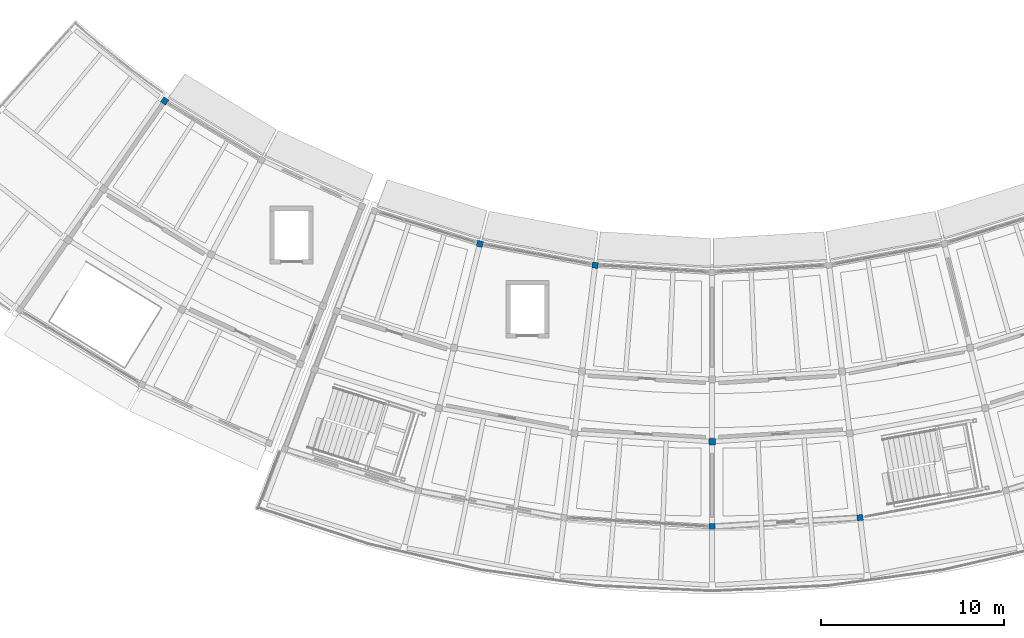
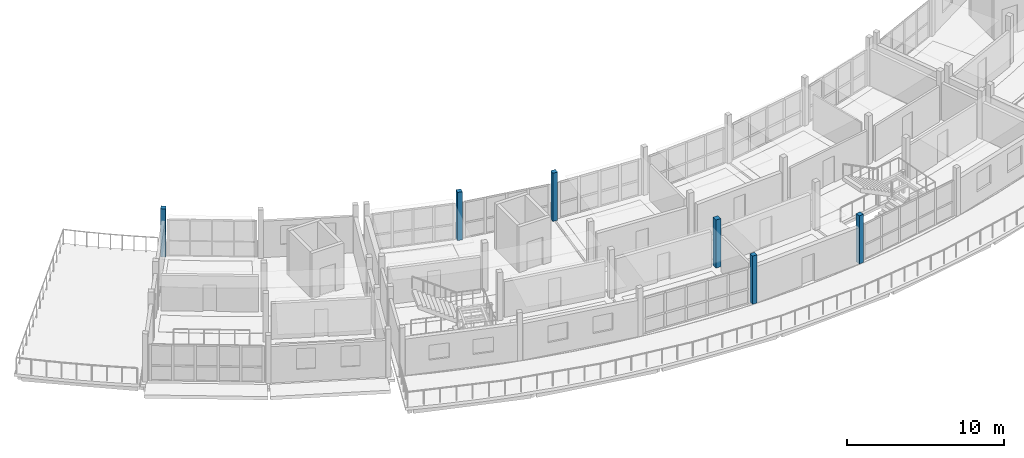
# One storey, part 3 of 24: 6 columns.
"""IFC4 building model written with IfcOpenShell, lengths in metres."""

from ifc_helpers import new_model, si_unit, direction, frame, origin, origin_2d, place, context, subcontext, project, spatial, rectangle, extrude, material, material_profile, profile_set, type_object, element, save


model = new_model("IFC4")

# Units and contexts
model_context = context("Model", 3, precision=1e-05, world=origin(), true_north=direction((0.0, 1.0)))
body_context = subcontext(model_context, "Body", "Model", "MODEL_VIEW")
ifc_project = project(units=[si_unit("LENGTHUNIT", "METRE"), si_unit("AREAUNIT", "SQUARE_METRE"), si_unit("VOLUMEUNIT", "CUBIC_METRE"), si_unit("PLANEANGLEUNIT", "RADIAN"), si_unit("MASSUNIT", "GRAM", prefix="KILO")], contexts=[model_context])

# Site, building, storey
site_placement = place(None, origin())
site = spatial("IfcSite", under=ifc_project, at=site_placement, CompositionType="ELEMENT")
building_placement = place(site_placement, origin())
building = spatial("IfcBuilding", under=site, at=building_placement, Name="Caldaven Crescent School", CompositionType="ELEMENT")
storey_placement = place(building_placement, frame((0.0, 0.0, 15.639892578125)))
storey = spatial("IfcBuildingStorey", under=building, at=storey_placement, Name="L04", CompositionType="ELEMENT", Elevation=15.639892578125)

# Columns
ifc_material = material(Name="Glulam MLE24h (GL28h)", Category="wood")
ifc_material_profile_1 = material_profile(ifc_material, rectangle(XDim=0.330078125, YDim=0.330078125, at=origin_2d()), Name="MLE 330x330")
ifc_profile_set_1 = profile_set([ifc_material_profile_1], Name="Glulam MLE24h (GL28h)")
column_type_1 = type_object("IfcColumnType", Name="COL-GL33", PredefinedType="COLUMN", material=ifc_profile_set_1)
for number, where, z_axis, x_axis, name in (
    (1, (58.09228515625, 52.91259765625, 0.0), (0.0, 0.0, 1.0), (-0.570283536751, -0.821447921484, 0.0), "COL-V4W-L04-00-0"),
    (2, (75.311279296875, 45.10791015625, 0.0), (0.0, 0.0, 1.0), (-0.2419218956, -0.970295726276, 0.0), "COL-V5-L04-01-0"),
    (3, (81.60791015625, 43.94091796875, 0.0), (0.0, 0.0, 1.0), (-0.121869343405, -0.992546151641, 0.0), "COL-V5-L04-02-0"),
    (4, (88.0, 29.64990234375, 0.0), (0.0, 0.0, 1.0), (0.0, -1.0, 0.0), "COL-V5-L04-03-3"),
    (5, (96.0859375, 30.14453125, 0.0), (0.0, 0.0, 1.0), (0.121869343405, -0.992546151641, 0.0), "COL-V5-L04-04-3"),
):
    element("IfcColumn", number, at=place(storey_placement, frame(where, z_axis=z_axis, x_axis=x_axis)), inside=storey, type_object=column_type_1, Name=name, PredefinedType="COLUMN", context=body_context, shape_type="SweptSolid", body=[
        extrude(rectangle(XDim=0.330078125, YDim=0.330078125, at=origin_2d()), origin(), (0.0, 0.0, 1.0), 3.739990234375),
    ])
ifc_material_profile_2 = material_profile(ifc_material, rectangle(XDim=0.360107421875, YDim=0.360107421875, at=origin_2d()), Name="MLE 360x360")
ifc_profile_set_2 = profile_set([ifc_material_profile_2], Name="Glulam MLE24h (GL28h)")
column_type_2 = type_object("IfcColumnType", Name="COL-GL36", PredefinedType="COLUMN", material=ifc_profile_set_2)
column_placement = place(storey_placement, frame((88.0, 34.300048828125, 0.0), z_axis=(0.0, 0.0, 1.0), x_axis=(0.0, -1.0, 0.0)))
element("IfcColumn", 6, at=column_placement, inside=storey, type_object=column_type_2, Name="COL-V5-L04-03-2", PredefinedType="COLUMN", context=body_context, shape_type="SweptSolid", body=[
    extrude(rectangle(XDim=0.360107421875, YDim=0.360107421875, at=origin_2d()), origin(), (0.0, 0.0, 1.0), 3.739990234375),
])

save(model, "model.ifc")
